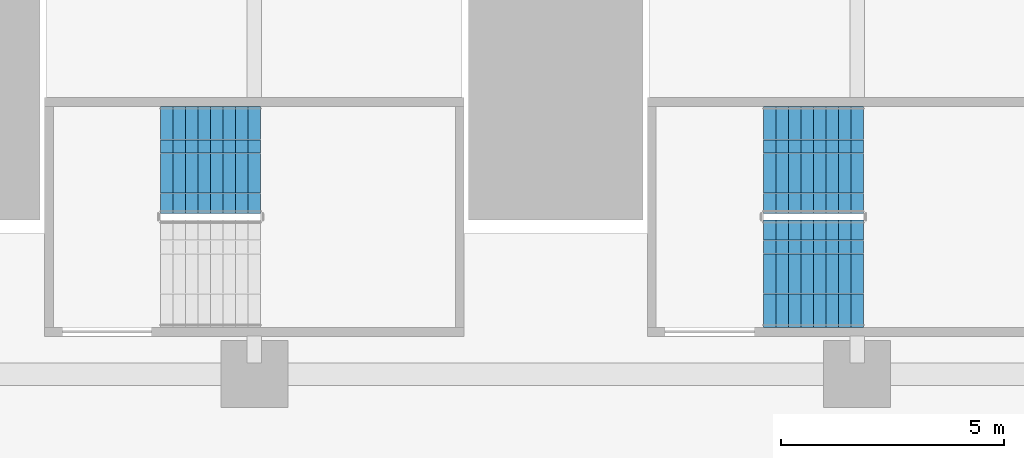
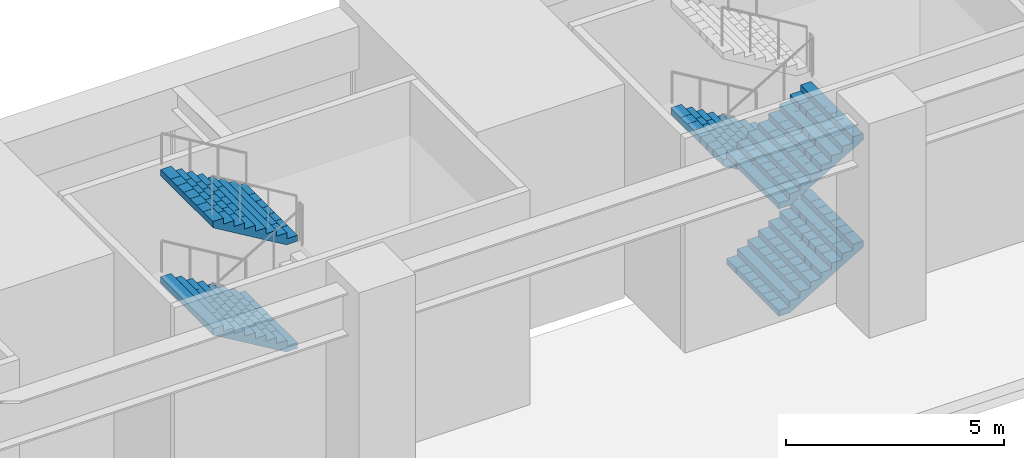
# One storey, part 31 of 41: 5 stair flights, 2 elements without a shape of their own.
"""IFC4 building model written with IfcOpenShell, lengths in metres."""

import ifcopenshell
import ifcopenshell.guid

model = None  # the IFC model being written
_history = None  # IfcOwnerHistory: only IFC2X3 demands one
_inside = {}  # id of a spatial element -> (the spatial element, [elements in it])
_under = {}  # id of a project, library or spatial element -> (it, [spatial elements below it])
_declared = {}  # id of a project -> (the project, [libraries it declares])
_typed = {}  # id of a type object -> (the type object, [elements of that type])
_made_of = {}  # id of a material, layer set ... -> (it, [elements and type objects made of it])


def new_model(schema):
    """Start an empty IFC model of exactly this schema.

    Asked for "IFC4X3", IfcOpenShell would pick the latest addendum, in which some entities
    have other attributes; the version numbers below select the first issue.
    IFC2X3 requires an IfcOwnerHistory on every rooted entity: one is made here for all.
    """
    global model, _history
    if schema == "IFC4X3":
        model = ifcopenshell.file(schema_version=(4, 3, 0, 0))
    else:
        model = ifcopenshell.file(schema=schema)
    _inside.clear()
    _under.clear()
    _declared.clear()
    _typed.clear()
    _made_of.clear()
    _history = None
    if model.schema == "IFC2X3":
        org = make("IfcOrganization", Name="unknown")
        user = make(
            "IfcPersonAndOrganization",
            ThePerson=make("IfcPerson", FamilyName="unknown"),
            TheOrganization=org,
        )
        app = make(
            "IfcApplication",
            ApplicationDeveloper=org,
            Version="unknown",
            ApplicationFullName="unknown",
            ApplicationIdentifier="unknown",
        )
        _history = make(
            "IfcOwnerHistory",
            OwningUser=user,
            OwningApplication=app,
            ChangeAction="ADDED",
            CreationDate=0,
        )
    return model


def make(cls, **values):
    """One entity of the class cls with the attributes given. An attribute that is None is left unset."""
    return model.create_entity(
        cls, **{name: value for name, value in values.items() if value is not None}
    )


def rooted(cls, **values):
    """An entity with a GlobalId (a new one), such as an element, a storey or a relation."""
    return make(cls, GlobalId=ifcopenshell.guid.new(), OwnerHistory=_history, **values)


def si_unit(unit_type, name, prefix=None):
    """IfcSIUnit, for example si_unit("LENGTHUNIT", "METRE", prefix="MILLI")."""
    return make("IfcSIUnit", UnitType=unit_type, Prefix=prefix, Name=name)


def assignment(units):
    """IfcUnitAssignment: the units of a project."""
    return None if units is None else make("IfcUnitAssignment", Units=units)


def point(xyz):
    """IfcCartesianPoint."""
    return None if xyz is None else make("IfcCartesianPoint", Coordinates=xyz)


def direction(xyz):
    """IfcDirection."""
    return None if xyz is None else make("IfcDirection", DirectionRatios=xyz)


def frame(location, z_axis=None, x_axis=None):
    """IfcAxis2Placement3D, a coordinate frame: its origin and axes. An axis left out is left unset."""
    return make(
        "IfcAxis2Placement3D",
        Location=point(location),
        Axis=direction(z_axis),
        RefDirection=direction(x_axis),
    )


def origin():
    """The frame at (0, 0, 0) with its axes left unset."""
    return frame((0.0, 0.0, 0.0))


def place(relative_to, where):
    """IfcLocalPlacement: puts the frame where relative to a parent placement (None: the world)."""
    return make(
        "IfcLocalPlacement", PlacementRelTo=relative_to, RelativePlacement=where
    )


def context(
    kind, dimensions, precision=None, world=None, true_north=None, identifier=None
):
    """IfcGeometricRepresentationContext, for example the 3D "Model" context."""
    return make(
        "IfcGeometricRepresentationContext",
        ContextIdentifier=identifier,
        ContextType=kind,
        CoordinateSpaceDimension=dimensions,
        Precision=precision,
        WorldCoordinateSystem=world,
        TrueNorth=true_north,
    )


def subcontext(parent, identifier, kind, view, scale=None):
    """IfcGeometricRepresentationSubContext, for example "Body" below "Model"."""
    return make(
        "IfcGeometricRepresentationSubContext",
        ContextIdentifier=identifier,
        ContextType=kind,
        ParentContext=parent,
        TargetScale=scale,
        TargetView=view,
    )


def project(units=None, contexts=None):
    """IfcProject with its units and contexts."""
    return rooted(
        "IfcProject",
        Name="project",
        RepresentationContexts=contexts,
        UnitsInContext=assignment(units),
    )


def spatial(cls, under=None, at=None, **own):
    """A site, building, storey or space (cls), placed at a placement, below another one or the project."""
    s = rooted(cls, ObjectPlacement=at, **own)
    if under is not None:
        _under.setdefault(under.id(), (under, []))[1].append(s)
    return s


def polyline(points):
    """IfcPolyline through the points."""
    return make("IfcPolyline", Points=[point(p) for p in points])


def outline(outer, holes=None, kind="AREA"):
    """IfcArbitraryClosedProfileDef: a profile drawn as a closed curve; with holes, ...WithVoids."""
    if holes is None:
        return make("IfcArbitraryClosedProfileDef", ProfileType=kind, OuterCurve=outer)
    return make(
        "IfcArbitraryProfileDefWithVoids",
        ProfileType=kind,
        OuterCurve=outer,
        InnerCurves=holes,
    )


def extrude(swept, where, along, depth):
    """IfcExtrudedAreaSolid: the profile swept, set in the frame where, extruded along a direction by depth."""
    return make(
        "IfcExtrudedAreaSolid",
        SweptArea=swept,
        Position=where,
        ExtrudedDirection=direction(along),
        Depth=depth,
    )


def shape(context_of_items, identifier, shape_type, items):
    """IfcShapeRepresentation: the items that make up one representation, for example the "Body"."""
    return make(
        "IfcShapeRepresentation",
        ContextOfItems=context_of_items,
        RepresentationIdentifier=identifier,
        RepresentationType=shape_type,
        Items=items,
    )


def material(Name=None, Category=None):
    """IfcMaterial."""
    return make("IfcMaterial", Name=Name, Category=Category)


def made_of(thing, what):
    """Note that an element or type object is made of a material, layer set ...; save() writes the relation."""
    if what is not None:
        _made_of.setdefault(what.id(), (what, []))[1].append(thing)
    return thing


def type_object(cls, material=None, **own):
    """A type object (cls), such as IfcWallType, which elements share."""
    return made_of(rooted(cls, **own), material)


def element(
    cls,
    number,
    at=None,
    inside=None,
    cuts=None,
    type_object=None,
    material=None,
    context=None,
    identifier="Body",
    shape_type=None,
    held_by="IfcProductDefinitionShape",
    body=None,
    shapes=None,
    **own,
):
    """One element of the class cls, such as IfcWall. Its Tag is "e" and its number.

    at: its placement. inside: the storey or other place that contains it. cuts: it is an
    opening in that element (IfcRelVoidsElement). A single representation is given by context,
    identifier, shape_type and body (its items); several are given by shapes. held_by: the class
    of the entity that holds the representations. save() writes the other relations.
    """
    e = rooted(cls, Tag="e%d" % number, ObjectPlacement=at, **own)
    if body is not None:
        shapes = [shape(context, identifier, shape_type, body)]
    if shapes is not None:
        e.Representation = make(held_by, Representations=shapes)
    if inside is not None:
        _inside.setdefault(inside.id(), (inside, []))[1].append(e)
    if cuts is not None:
        rooted(
            "IfcRelVoidsElement", RelatingBuildingElement=cuts, RelatedOpeningElement=e
        )
    if type_object is not None:
        _typed.setdefault(type_object.id(), (type_object, []))[1].append(e)
    return made_of(e, material)


def aggregate(whole, parts):
    """IfcRelAggregates: a whole, such as a stair, and the parts it consists of."""
    return rooted("IfcRelAggregates", RelatingObject=whole, RelatedObjects=parts)


def save(model, path):
    """Write the relations noted so far, then the file.

    IfcRelAggregates (storeys below a building ...), IfcRelContainedInSpatialStructure (elements
    in a storey), IfcRelDefinesByType, IfcRelAssociatesMaterial and IfcRelDeclares: one each for
    every whole, place, type object, material and project.
    """
    for whole, parts in _under.values():
        aggregate(whole, parts)
    for where, things in _inside.values():
        rooted(
            "IfcRelContainedInSpatialStructure",
            RelatedElements=things,
            RelatingStructure=where,
        )
    for kind, things in _typed.values():
        rooted("IfcRelDefinesByType", RelatedObjects=things, RelatingType=kind)
    for what, things in _made_of.values():
        rooted("IfcRelAssociatesMaterial", RelatedObjects=things, RelatingMaterial=what)
    for by, libraries in _declared.values():
        rooted("IfcRelDeclares", RelatingContext=by, RelatedDefinitions=libraries)
    model.write(path)


model = new_model("IFC4")

# Units and contexts
model_context = context("Model", 3, precision=1e-05, world=origin(), true_north=direction((0.0, 1.0)))
body_context = subcontext(model_context, "Body", "Model", "MODEL_VIEW")
ifc_project = project(units=[si_unit("LENGTHUNIT", "METRE"), si_unit("AREAUNIT", "SQUARE_METRE"), si_unit("VOLUMEUNIT", "CUBIC_METRE"), si_unit("PLANEANGLEUNIT", "RADIAN"), si_unit("MASSUNIT", "GRAM", prefix="KILO")], contexts=[model_context])

# Site, building, storey
site_placement = place(None, origin())
site = spatial("IfcSite", under=ifc_project, at=site_placement, CompositionType="ELEMENT")
building_placement = place(site_placement, origin())
building = spatial("IfcBuilding", under=site, at=building_placement, Name="Corbelhall Arena Tower", CompositionType="ELEMENT")
storey_placement = place(building_placement, frame((0.0, 0.0, 19.0)))
storey = spatial("IfcBuildingStorey", under=building, at=storey_placement, Name="L02", CompositionType="ELEMENT", Elevation=19.0)

# Stair, stair flights
ifc_material = material(Name="Reinforced concrete C40/50", Category="concrete")
stair_type = type_object("IfcStairType", Name="AR-EXIT-STAIR", PredefinedType="HALF_TURN_STAIR", material=ifc_material)
stair_1_placement = place(storey_placement, origin())
stair_1 = element("IfcStair", 1, at=stair_1_placement, inside=storey, type_object=stair_type, Name="L02 exit stair AS11", PredefinedType="HALF_TURN_STAIR")
stair_flight_type = type_object("IfcStairFlightType", Name="AR-EXIT-FLIGHT", PredefinedType="STRAIGHT", material=ifc_material)
stair_flight_1_placement = place(storey_placement, frame((6.889892578125, 34.050048828125, 1.5), z_axis=(0.0, 0.0, 1.0), x_axis=(-1.0, 0.0, 0.0)))
stair_flight_1 = element("IfcStairFlight", 2, at=stair_flight_1_placement, type_object=stair_flight_type, Name="AS11 flight 2", NumberOfRisers=9, NumberOfTreads=8, PredefinedType="STRAIGHT", RiserHeight=0.166666667, TreadLength=0.28, context=body_context, shape_type="SweptSolid", body=[
    extrude(outline(polyline([(0.0, 0.0), (0.0, 0.166748046875), (0.280029296875, 0.166748046875), (0.280029296875, 0.333251953125), (0.56005859375, 0.333251953125), (0.56005859375, 0.5), (0.840087890625, 0.5), (0.840087890625, 0.666748046875), (1.1201171875, 0.666748046875), (1.1201171875, 0.833251953125), (1.39990234375, 0.833251953125), (1.39990234375, 1.0), (1.679931640625, 1.0), (1.679931640625, 1.166748046875), (1.9599609375, 1.166748046875), (1.9599609375, 1.333251953125), (2.239990234375, 1.333251953125), (2.239990234375, 1.5), (2.239990234375, 1.158935546875), (0.29296875, 0.0), (0.0, 0.0)])), frame((0.0, 1.199951171875, 0.0), z_axis=(0.0, -1.0, 0.0), x_axis=(1.0, 0.0, 0.0)), (0.0, 0.0, 1.0), 0.449951171875),
    extrude(outline(polyline([(0.0, 0.0), (0.0, 0.166748046875), (0.280029296875, 0.166748046875), (0.280029296875, 0.333251953125), (0.56005859375, 0.333251953125), (0.56005859375, 0.5), (0.840087890625, 0.5), (0.840087890625, 0.666748046875), (1.1201171875, 0.666748046875), (1.1201171875, 0.833251953125), (1.39990234375, 0.833251953125), (1.39990234375, 1.0), (1.679931640625, 1.0), (1.679931640625, 1.166748046875), (1.9599609375, 1.166748046875), (1.9599609375, 1.333251953125), (2.239990234375, 1.333251953125), (2.239990234375, 1.5), (2.239990234375, 1.158935546875), (0.29296875, 0.0), (0.0, 0.0)])), frame((0.0, 0.745849609375, 0.0), z_axis=(0.0, -1.0, 0.0), x_axis=(1.0, 0.0, 0.0)), (0.0, 0.0, 1.0), 0.295166015625),
    extrude(outline(polyline([(0.0, 0.0), (0.0, 0.166748046875), (0.280029296875, 0.166748046875), (0.280029296875, 0.333251953125), (0.56005859375, 0.333251953125), (0.56005859375, 0.5), (0.840087890625, 0.5), (0.840087890625, 0.666748046875), (1.1201171875, 0.666748046875), (1.1201171875, 0.833251953125), (1.39990234375, 0.833251953125), (1.39990234375, 1.0), (1.679931640625, 1.0), (1.679931640625, 1.166748046875), (1.9599609375, 1.166748046875), (1.9599609375, 1.333251953125), (2.239990234375, 1.333251953125), (2.239990234375, 1.5), (2.239990234375, 1.158935546875), (0.29296875, 0.0), (0.0, 0.0)])), frame((0.0, 0.44677734375, 0.0), z_axis=(0.0, -1.0, 0.0), x_axis=(1.0, 0.0, 0.0)), (0.0, 0.0, 1.0), 0.295166015625),
    extrude(outline(polyline([(0.0, 0.0), (0.0, 0.166748046875), (0.280029296875, 0.166748046875), (0.280029296875, 0.333251953125), (0.56005859375, 0.333251953125), (0.56005859375, 0.5), (0.840087890625, 0.5), (0.840087890625, 0.666748046875), (1.1201171875, 0.666748046875), (1.1201171875, 0.833251953125), (1.39990234375, 0.833251953125), (1.39990234375, 1.0), (1.679931640625, 1.0), (1.679931640625, 1.166748046875), (1.9599609375, 1.166748046875), (1.9599609375, 1.333251953125), (2.239990234375, 1.333251953125), (2.239990234375, 1.5), (2.239990234375, 1.158935546875), (0.29296875, 0.0), (0.0, 0.0)])), frame((0.0, 0.147705078125, 0.0), z_axis=(0.0, -1.0, 0.0), x_axis=(1.0, 0.0, 0.0)), (0.0, 0.0, 1.0), 0.295166015625),
    extrude(outline(polyline([(0.0, 0.0), (0.0, 0.166748046875), (0.280029296875, 0.166748046875), (0.280029296875, 0.333251953125), (0.56005859375, 0.333251953125), (0.56005859375, 0.5), (0.840087890625, 0.5), (0.840087890625, 0.666748046875), (1.1201171875, 0.666748046875), (1.1201171875, 0.833251953125), (1.39990234375, 0.833251953125), (1.39990234375, 1.0), (1.679931640625, 1.0), (1.679931640625, 1.166748046875), (1.9599609375, 1.166748046875), (1.9599609375, 1.333251953125), (2.239990234375, 1.333251953125), (2.239990234375, 1.5), (2.239990234375, 1.158935546875), (0.29296875, 0.0), (0.0, 0.0)])), frame((0.0, -0.151611328125, 0.0), z_axis=(0.0, -1.0, 0.0), x_axis=(1.0, 0.0, 0.0)), (0.0, 0.0, 1.0), 0.295166015625),
    extrude(outline(polyline([(0.0, 0.0), (0.0, 0.166748046875), (0.280029296875, 0.166748046875), (0.280029296875, 0.333251953125), (0.56005859375, 0.333251953125), (0.56005859375, 0.5), (0.840087890625, 0.5), (0.840087890625, 0.666748046875), (1.1201171875, 0.666748046875), (1.1201171875, 0.833251953125), (1.39990234375, 0.833251953125), (1.39990234375, 1.0), (1.679931640625, 1.0), (1.679931640625, 1.166748046875), (1.9599609375, 1.166748046875), (1.9599609375, 1.333251953125), (2.239990234375, 1.333251953125), (2.239990234375, 1.5), (2.239990234375, 1.158935546875), (0.29296875, 0.0), (0.0, 0.0)])), frame((0.0, -0.45068359375, 0.0), z_axis=(0.0, -1.0, 0.0), x_axis=(1.0, 0.0, 0.0)), (0.0, 0.0, 1.0), 0.295166015625),
    extrude(outline(polyline([(0.0, 0.0), (0.0, 0.166748046875), (0.280029296875, 0.166748046875), (0.280029296875, 0.333251953125), (0.56005859375, 0.333251953125), (0.56005859375, 0.5), (0.840087890625, 0.5), (0.840087890625, 0.666748046875), (1.1201171875, 0.666748046875), (1.1201171875, 0.833251953125), (1.39990234375, 0.833251953125), (1.39990234375, 1.0), (1.679931640625, 1.0), (1.679931640625, 1.166748046875), (1.9599609375, 1.166748046875), (1.9599609375, 1.333251953125), (2.239990234375, 1.333251953125), (2.239990234375, 1.5), (2.239990234375, 1.158935546875), (0.29296875, 0.0), (0.0, 0.0)])), frame((0.0, -0.75, 0.0), z_axis=(0.0, -1.0, 0.0), x_axis=(1.0, 0.0, 0.0)), (0.0, 0.0, 1.0), 0.449951171875),
])
stair_flight_2_placement = place(storey_placement, frame((6.889892578125, 34.050048828125, 4.5), z_axis=(0.0, 0.0, 1.0), x_axis=(-1.0, 0.0, 0.0)))
stair_flight_2 = element("IfcStairFlight", 3, at=stair_flight_2_placement, type_object=stair_flight_type, Name="AS11 flight 4", NumberOfRisers=9, NumberOfTreads=8, PredefinedType="STRAIGHT", RiserHeight=0.166666667, TreadLength=0.28, context=body_context, shape_type="SweptSolid", body=[
    extrude(outline(polyline([(0.0, 0.0), (0.0, 0.166748046875), (0.280029296875, 0.166748046875), (0.280029296875, 0.333251953125), (0.56005859375, 0.333251953125), (0.56005859375, 0.5), (0.840087890625, 0.5), (0.840087890625, 0.666748046875), (1.1201171875, 0.666748046875), (1.1201171875, 0.833251953125), (1.39990234375, 0.833251953125), (1.39990234375, 1.0), (1.679931640625, 1.0), (1.679931640625, 1.166748046875), (1.9599609375, 1.166748046875), (1.9599609375, 1.333251953125), (2.239990234375, 1.333251953125), (2.239990234375, 1.5), (2.239990234375, 1.158935546875), (0.29296875, 0.0), (0.0, 0.0)])), frame((0.0, 1.199951171875, 0.0), z_axis=(0.0, -1.0, 0.0), x_axis=(1.0, 0.0, 0.0)), (0.0, 0.0, 1.0), 0.449951171875),
    extrude(outline(polyline([(0.0, 0.0), (0.0, 0.166748046875), (0.280029296875, 0.166748046875), (0.280029296875, 0.333251953125), (0.56005859375, 0.333251953125), (0.56005859375, 0.5), (0.840087890625, 0.5), (0.840087890625, 0.666748046875), (1.1201171875, 0.666748046875), (1.1201171875, 0.833251953125), (1.39990234375, 0.833251953125), (1.39990234375, 1.0), (1.679931640625, 1.0), (1.679931640625, 1.166748046875), (1.9599609375, 1.166748046875), (1.9599609375, 1.333251953125), (2.239990234375, 1.333251953125), (2.239990234375, 1.5), (2.239990234375, 1.158935546875), (0.29296875, 0.0), (0.0, 0.0)])), frame((0.0, 0.745849609375, 0.0), z_axis=(0.0, -1.0, 0.0), x_axis=(1.0, 0.0, 0.0)), (0.0, 0.0, 1.0), 0.295166015625),
    extrude(outline(polyline([(0.0, 0.0), (0.0, 0.166748046875), (0.280029296875, 0.166748046875), (0.280029296875, 0.333251953125), (0.56005859375, 0.333251953125), (0.56005859375, 0.5), (0.840087890625, 0.5), (0.840087890625, 0.666748046875), (1.1201171875, 0.666748046875), (1.1201171875, 0.833251953125), (1.39990234375, 0.833251953125), (1.39990234375, 1.0), (1.679931640625, 1.0), (1.679931640625, 1.166748046875), (1.9599609375, 1.166748046875), (1.9599609375, 1.333251953125), (2.239990234375, 1.333251953125), (2.239990234375, 1.5), (2.239990234375, 1.158935546875), (0.29296875, 0.0), (0.0, 0.0)])), frame((0.0, 0.44677734375, 0.0), z_axis=(0.0, -1.0, 0.0), x_axis=(1.0, 0.0, 0.0)), (0.0, 0.0, 1.0), 0.295166015625),
    extrude(outline(polyline([(0.0, 0.0), (0.0, 0.166748046875), (0.280029296875, 0.166748046875), (0.280029296875, 0.333251953125), (0.56005859375, 0.333251953125), (0.56005859375, 0.5), (0.840087890625, 0.5), (0.840087890625, 0.666748046875), (1.1201171875, 0.666748046875), (1.1201171875, 0.833251953125), (1.39990234375, 0.833251953125), (1.39990234375, 1.0), (1.679931640625, 1.0), (1.679931640625, 1.166748046875), (1.9599609375, 1.166748046875), (1.9599609375, 1.333251953125), (2.239990234375, 1.333251953125), (2.239990234375, 1.5), (2.239990234375, 1.158935546875), (0.29296875, 0.0), (0.0, 0.0)])), frame((0.0, 0.147705078125, 0.0), z_axis=(0.0, -1.0, 0.0), x_axis=(1.0, 0.0, 0.0)), (0.0, 0.0, 1.0), 0.295166015625),
    extrude(outline(polyline([(0.0, 0.0), (0.0, 0.166748046875), (0.280029296875, 0.166748046875), (0.280029296875, 0.333251953125), (0.56005859375, 0.333251953125), (0.56005859375, 0.5), (0.840087890625, 0.5), (0.840087890625, 0.666748046875), (1.1201171875, 0.666748046875), (1.1201171875, 0.833251953125), (1.39990234375, 0.833251953125), (1.39990234375, 1.0), (1.679931640625, 1.0), (1.679931640625, 1.166748046875), (1.9599609375, 1.166748046875), (1.9599609375, 1.333251953125), (2.239990234375, 1.333251953125), (2.239990234375, 1.5), (2.239990234375, 1.158935546875), (0.29296875, 0.0), (0.0, 0.0)])), frame((0.0, -0.151611328125, 0.0), z_axis=(0.0, -1.0, 0.0), x_axis=(1.0, 0.0, 0.0)), (0.0, 0.0, 1.0), 0.295166015625),
    extrude(outline(polyline([(0.0, 0.0), (0.0, 0.166748046875), (0.280029296875, 0.166748046875), (0.280029296875, 0.333251953125), (0.56005859375, 0.333251953125), (0.56005859375, 0.5), (0.840087890625, 0.5), (0.840087890625, 0.666748046875), (1.1201171875, 0.666748046875), (1.1201171875, 0.833251953125), (1.39990234375, 0.833251953125), (1.39990234375, 1.0), (1.679931640625, 1.0), (1.679931640625, 1.166748046875), (1.9599609375, 1.166748046875), (1.9599609375, 1.333251953125), (2.239990234375, 1.333251953125), (2.239990234375, 1.5), (2.239990234375, 1.158935546875), (0.29296875, 0.0), (0.0, 0.0)])), frame((0.0, -0.45068359375, 0.0), z_axis=(0.0, -1.0, 0.0), x_axis=(1.0, 0.0, 0.0)), (0.0, 0.0, 1.0), 0.295166015625),
    extrude(outline(polyline([(0.0, 0.0), (0.0, 0.166748046875), (0.280029296875, 0.166748046875), (0.280029296875, 0.333251953125), (0.56005859375, 0.333251953125), (0.56005859375, 0.5), (0.840087890625, 0.5), (0.840087890625, 0.666748046875), (1.1201171875, 0.666748046875), (1.1201171875, 0.833251953125), (1.39990234375, 0.833251953125), (1.39990234375, 1.0), (1.679931640625, 1.0), (1.679931640625, 1.166748046875), (1.9599609375, 1.166748046875), (1.9599609375, 1.333251953125), (2.239990234375, 1.333251953125), (2.239990234375, 1.5), (2.239990234375, 1.158935546875), (0.29296875, 0.0), (0.0, 0.0)])), frame((0.0, -0.75, 0.0), z_axis=(0.0, -1.0, 0.0), x_axis=(1.0, 0.0, 0.0)), (0.0, 0.0, 1.0), 0.449951171875),
])
aggregate(stair_1, [stair_flight_1, stair_flight_2])

stair_2_placement = place(storey_placement, origin())
stair_2 = element("IfcStair", 4, at=stair_2_placement, inside=storey, type_object=stair_type, Name="L02 exit stair AS12", PredefinedType="HALF_TURN_STAIR")
stair_flight_3_placement = place(storey_placement, frame((18.14990234375, 31.5, 0.0), z_axis=(0.0, 0.0, 1.0), x_axis=(1.0, 0.0, 0.0)))
stair_flight_3 = element("IfcStairFlight", 5, at=stair_flight_3_placement, type_object=stair_flight_type, Name="AS12 flight 1", NumberOfRisers=9, NumberOfTreads=8, PredefinedType="STRAIGHT", RiserHeight=0.166666667, TreadLength=0.28, context=body_context, shape_type="SweptSolid", body=[
    extrude(outline(polyline([(0.0, 0.0), (0.0, 0.166748046875), (0.280029296875, 0.166748046875), (0.280029296875, 0.333251953125), (0.56005859375, 0.333251953125), (0.56005859375, 0.5), (0.840087890625, 0.5), (0.840087890625, 0.666748046875), (1.1201171875, 0.666748046875), (1.1201171875, 0.833251953125), (1.39990234375, 0.833251953125), (1.39990234375, 1.0), (1.679931640625, 1.0), (1.679931640625, 1.166748046875), (1.9599609375, 1.166748046875), (1.9599609375, 1.333251953125), (2.239990234375, 1.333251953125), (2.239990234375, 1.5), (2.239990234375, 1.158935546875), (0.29296875, 0.0), (0.0, 0.0)])), frame((0.0, 1.199951171875, 0.0), z_axis=(0.0, -1.0, 0.0), x_axis=(1.0, 0.0, 0.0)), (0.0, 0.0, 1.0), 0.449951171875),
    extrude(outline(polyline([(0.0, 0.0), (0.0, 0.166748046875), (0.280029296875, 0.166748046875), (0.280029296875, 0.333251953125), (0.56005859375, 0.333251953125), (0.56005859375, 0.5), (0.840087890625, 0.5), (0.840087890625, 0.666748046875), (1.1201171875, 0.666748046875), (1.1201171875, 0.833251953125), (1.39990234375, 0.833251953125), (1.39990234375, 1.0), (1.679931640625, 1.0), (1.679931640625, 1.166748046875), (1.9599609375, 1.166748046875), (1.9599609375, 1.333251953125), (2.239990234375, 1.333251953125), (2.239990234375, 1.5), (2.239990234375, 1.158935546875), (0.29296875, 0.0), (0.0, 0.0)])), frame((0.0, 0.745849609375, 0.0), z_axis=(0.0, -1.0, 0.0), x_axis=(1.0, 0.0, 0.0)), (0.0, 0.0, 1.0), 0.295166015625),
    extrude(outline(polyline([(0.0, 0.0), (0.0, 0.166748046875), (0.280029296875, 0.166748046875), (0.280029296875, 0.333251953125), (0.56005859375, 0.333251953125), (0.56005859375, 0.5), (0.840087890625, 0.5), (0.840087890625, 0.666748046875), (1.1201171875, 0.666748046875), (1.1201171875, 0.833251953125), (1.39990234375, 0.833251953125), (1.39990234375, 1.0), (1.679931640625, 1.0), (1.679931640625, 1.166748046875), (1.9599609375, 1.166748046875), (1.9599609375, 1.333251953125), (2.239990234375, 1.333251953125), (2.239990234375, 1.5), (2.239990234375, 1.158935546875), (0.29296875, 0.0), (0.0, 0.0)])), frame((0.0, 0.44677734375, 0.0), z_axis=(0.0, -1.0, 0.0), x_axis=(1.0, 0.0, 0.0)), (0.0, 0.0, 1.0), 0.295166015625),
    extrude(outline(polyline([(0.0, 0.0), (0.0, 0.166748046875), (0.280029296875, 0.166748046875), (0.280029296875, 0.333251953125), (0.56005859375, 0.333251953125), (0.56005859375, 0.5), (0.840087890625, 0.5), (0.840087890625, 0.666748046875), (1.1201171875, 0.666748046875), (1.1201171875, 0.833251953125), (1.39990234375, 0.833251953125), (1.39990234375, 1.0), (1.679931640625, 1.0), (1.679931640625, 1.166748046875), (1.9599609375, 1.166748046875), (1.9599609375, 1.333251953125), (2.239990234375, 1.333251953125), (2.239990234375, 1.5), (2.239990234375, 1.158935546875), (0.29296875, 0.0), (0.0, 0.0)])), frame((0.0, 0.147705078125, 0.0), z_axis=(0.0, -1.0, 0.0), x_axis=(1.0, 0.0, 0.0)), (0.0, 0.0, 1.0), 0.295166015625),
    extrude(outline(polyline([(0.0, 0.0), (0.0, 0.166748046875), (0.280029296875, 0.166748046875), (0.280029296875, 0.333251953125), (0.56005859375, 0.333251953125), (0.56005859375, 0.5), (0.840087890625, 0.5), (0.840087890625, 0.666748046875), (1.1201171875, 0.666748046875), (1.1201171875, 0.833251953125), (1.39990234375, 0.833251953125), (1.39990234375, 1.0), (1.679931640625, 1.0), (1.679931640625, 1.166748046875), (1.9599609375, 1.166748046875), (1.9599609375, 1.333251953125), (2.239990234375, 1.333251953125), (2.239990234375, 1.5), (2.239990234375, 1.158935546875), (0.29296875, 0.0), (0.0, 0.0)])), frame((0.0, -0.151611328125, 0.0), z_axis=(0.0, -1.0, 0.0), x_axis=(1.0, 0.0, 0.0)), (0.0, 0.0, 1.0), 0.295166015625),
    extrude(outline(polyline([(0.0, 0.0), (0.0, 0.166748046875), (0.280029296875, 0.166748046875), (0.280029296875, 0.333251953125), (0.56005859375, 0.333251953125), (0.56005859375, 0.5), (0.840087890625, 0.5), (0.840087890625, 0.666748046875), (1.1201171875, 0.666748046875), (1.1201171875, 0.833251953125), (1.39990234375, 0.833251953125), (1.39990234375, 1.0), (1.679931640625, 1.0), (1.679931640625, 1.166748046875), (1.9599609375, 1.166748046875), (1.9599609375, 1.333251953125), (2.239990234375, 1.333251953125), (2.239990234375, 1.5), (2.239990234375, 1.158935546875), (0.29296875, 0.0), (0.0, 0.0)])), frame((0.0, -0.45068359375, 0.0), z_axis=(0.0, -1.0, 0.0), x_axis=(1.0, 0.0, 0.0)), (0.0, 0.0, 1.0), 0.295166015625),
    extrude(outline(polyline([(0.0, 0.0), (0.0, 0.166748046875), (0.280029296875, 0.166748046875), (0.280029296875, 0.333251953125), (0.56005859375, 0.333251953125), (0.56005859375, 0.5), (0.840087890625, 0.5), (0.840087890625, 0.666748046875), (1.1201171875, 0.666748046875), (1.1201171875, 0.833251953125), (1.39990234375, 0.833251953125), (1.39990234375, 1.0), (1.679931640625, 1.0), (1.679931640625, 1.166748046875), (1.9599609375, 1.166748046875), (1.9599609375, 1.333251953125), (2.239990234375, 1.333251953125), (2.239990234375, 1.5), (2.239990234375, 1.158935546875), (0.29296875, 0.0), (0.0, 0.0)])), frame((0.0, -0.75, 0.0), z_axis=(0.0, -1.0, 0.0), x_axis=(1.0, 0.0, 0.0)), (0.0, 0.0, 1.0), 0.449951171875),
])
stair_flight_4_placement = place(storey_placement, frame((20.389892578125, 34.050048828125, 1.5), z_axis=(0.0, 0.0, 1.0), x_axis=(-1.0, 0.0, 0.0)))
stair_flight_4 = element("IfcStairFlight", 6, at=stair_flight_4_placement, type_object=stair_flight_type, Name="AS12 flight 2", NumberOfRisers=9, NumberOfTreads=8, PredefinedType="STRAIGHT", RiserHeight=0.166666667, TreadLength=0.28, context=body_context, shape_type="SweptSolid", body=[
    extrude(outline(polyline([(0.0, 0.0), (0.0, 0.166748046875), (0.280029296875, 0.166748046875), (0.280029296875, 0.333251953125), (0.56005859375, 0.333251953125), (0.56005859375, 0.5), (0.840087890625, 0.5), (0.840087890625, 0.666748046875), (1.1201171875, 0.666748046875), (1.1201171875, 0.833251953125), (1.39990234375, 0.833251953125), (1.39990234375, 1.0), (1.679931640625, 1.0), (1.679931640625, 1.166748046875), (1.9599609375, 1.166748046875), (1.9599609375, 1.333251953125), (2.239990234375, 1.333251953125), (2.239990234375, 1.5), (2.239990234375, 1.158935546875), (0.29296875, 0.0), (0.0, 0.0)])), frame((0.0, 1.199951171875, 0.0), z_axis=(0.0, -1.0, 0.0), x_axis=(1.0, 0.0, 0.0)), (0.0, 0.0, 1.0), 0.449951171875),
    extrude(outline(polyline([(0.0, 0.0), (0.0, 0.166748046875), (0.280029296875, 0.166748046875), (0.280029296875, 0.333251953125), (0.56005859375, 0.333251953125), (0.56005859375, 0.5), (0.840087890625, 0.5), (0.840087890625, 0.666748046875), (1.1201171875, 0.666748046875), (1.1201171875, 0.833251953125), (1.39990234375, 0.833251953125), (1.39990234375, 1.0), (1.679931640625, 1.0), (1.679931640625, 1.166748046875), (1.9599609375, 1.166748046875), (1.9599609375, 1.333251953125), (2.239990234375, 1.333251953125), (2.239990234375, 1.5), (2.239990234375, 1.158935546875), (0.29296875, 0.0), (0.0, 0.0)])), frame((0.0, 0.745849609375, 0.0), z_axis=(0.0, -1.0, 0.0), x_axis=(1.0, 0.0, 0.0)), (0.0, 0.0, 1.0), 0.295166015625),
    extrude(outline(polyline([(0.0, 0.0), (0.0, 0.166748046875), (0.280029296875, 0.166748046875), (0.280029296875, 0.333251953125), (0.56005859375, 0.333251953125), (0.56005859375, 0.5), (0.840087890625, 0.5), (0.840087890625, 0.666748046875), (1.1201171875, 0.666748046875), (1.1201171875, 0.833251953125), (1.39990234375, 0.833251953125), (1.39990234375, 1.0), (1.679931640625, 1.0), (1.679931640625, 1.166748046875), (1.9599609375, 1.166748046875), (1.9599609375, 1.333251953125), (2.239990234375, 1.333251953125), (2.239990234375, 1.5), (2.239990234375, 1.158935546875), (0.29296875, 0.0), (0.0, 0.0)])), frame((0.0, 0.44677734375, 0.0), z_axis=(0.0, -1.0, 0.0), x_axis=(1.0, 0.0, 0.0)), (0.0, 0.0, 1.0), 0.295166015625),
    extrude(outline(polyline([(0.0, 0.0), (0.0, 0.166748046875), (0.280029296875, 0.166748046875), (0.280029296875, 0.333251953125), (0.56005859375, 0.333251953125), (0.56005859375, 0.5), (0.840087890625, 0.5), (0.840087890625, 0.666748046875), (1.1201171875, 0.666748046875), (1.1201171875, 0.833251953125), (1.39990234375, 0.833251953125), (1.39990234375, 1.0), (1.679931640625, 1.0), (1.679931640625, 1.166748046875), (1.9599609375, 1.166748046875), (1.9599609375, 1.333251953125), (2.239990234375, 1.333251953125), (2.239990234375, 1.5), (2.239990234375, 1.158935546875), (0.29296875, 0.0), (0.0, 0.0)])), frame((0.0, 0.147705078125, 0.0), z_axis=(0.0, -1.0, 0.0), x_axis=(1.0, 0.0, 0.0)), (0.0, 0.0, 1.0), 0.295166015625),
    extrude(outline(polyline([(0.0, 0.0), (0.0, 0.166748046875), (0.280029296875, 0.166748046875), (0.280029296875, 0.333251953125), (0.56005859375, 0.333251953125), (0.56005859375, 0.5), (0.840087890625, 0.5), (0.840087890625, 0.666748046875), (1.1201171875, 0.666748046875), (1.1201171875, 0.833251953125), (1.39990234375, 0.833251953125), (1.39990234375, 1.0), (1.679931640625, 1.0), (1.679931640625, 1.166748046875), (1.9599609375, 1.166748046875), (1.9599609375, 1.333251953125), (2.239990234375, 1.333251953125), (2.239990234375, 1.5), (2.239990234375, 1.158935546875), (0.29296875, 0.0), (0.0, 0.0)])), frame((0.0, -0.151611328125, 0.0), z_axis=(0.0, -1.0, 0.0), x_axis=(1.0, 0.0, 0.0)), (0.0, 0.0, 1.0), 0.295166015625),
    extrude(outline(polyline([(0.0, 0.0), (0.0, 0.166748046875), (0.280029296875, 0.166748046875), (0.280029296875, 0.333251953125), (0.56005859375, 0.333251953125), (0.56005859375, 0.5), (0.840087890625, 0.5), (0.840087890625, 0.666748046875), (1.1201171875, 0.666748046875), (1.1201171875, 0.833251953125), (1.39990234375, 0.833251953125), (1.39990234375, 1.0), (1.679931640625, 1.0), (1.679931640625, 1.166748046875), (1.9599609375, 1.166748046875), (1.9599609375, 1.333251953125), (2.239990234375, 1.333251953125), (2.239990234375, 1.5), (2.239990234375, 1.158935546875), (0.29296875, 0.0), (0.0, 0.0)])), frame((0.0, -0.45068359375, 0.0), z_axis=(0.0, -1.0, 0.0), x_axis=(1.0, 0.0, 0.0)), (0.0, 0.0, 1.0), 0.295166015625),
    extrude(outline(polyline([(0.0, 0.0), (0.0, 0.166748046875), (0.280029296875, 0.166748046875), (0.280029296875, 0.333251953125), (0.56005859375, 0.333251953125), (0.56005859375, 0.5), (0.840087890625, 0.5), (0.840087890625, 0.666748046875), (1.1201171875, 0.666748046875), (1.1201171875, 0.833251953125), (1.39990234375, 0.833251953125), (1.39990234375, 1.0), (1.679931640625, 1.0), (1.679931640625, 1.166748046875), (1.9599609375, 1.166748046875), (1.9599609375, 1.333251953125), (2.239990234375, 1.333251953125), (2.239990234375, 1.5), (2.239990234375, 1.158935546875), (0.29296875, 0.0), (0.0, 0.0)])), frame((0.0, -0.75, 0.0), z_axis=(0.0, -1.0, 0.0), x_axis=(1.0, 0.0, 0.0)), (0.0, 0.0, 1.0), 0.449951171875),
])
stair_flight_5_placement = place(storey_placement, frame((18.14990234375, 31.5, 3.0), z_axis=(0.0, 0.0, 1.0), x_axis=(1.0, 0.0, 0.0)))
stair_flight_5 = element("IfcStairFlight", 7, at=stair_flight_5_placement, type_object=stair_flight_type, Name="AS12 flight 3", NumberOfRisers=9, NumberOfTreads=8, PredefinedType="STRAIGHT", RiserHeight=0.166666667, TreadLength=0.28, context=body_context, shape_type="SweptSolid", body=[
    extrude(outline(polyline([(0.0, 0.0), (0.0, 0.166748046875), (0.280029296875, 0.166748046875), (0.280029296875, 0.333251953125), (0.56005859375, 0.333251953125), (0.56005859375, 0.5), (0.840087890625, 0.5), (0.840087890625, 0.666748046875), (1.1201171875, 0.666748046875), (1.1201171875, 0.833251953125), (1.39990234375, 0.833251953125), (1.39990234375, 1.0), (1.679931640625, 1.0), (1.679931640625, 1.166748046875), (1.9599609375, 1.166748046875), (1.9599609375, 1.333251953125), (2.239990234375, 1.333251953125), (2.239990234375, 1.5), (2.239990234375, 1.158935546875), (0.29296875, 0.0), (0.0, 0.0)])), frame((0.0, 1.199951171875, 0.0), z_axis=(0.0, -1.0, 0.0), x_axis=(1.0, 0.0, 0.0)), (0.0, 0.0, 1.0), 0.449951171875),
    extrude(outline(polyline([(0.0, 0.0), (0.0, 0.166748046875), (0.280029296875, 0.166748046875), (0.280029296875, 0.333251953125), (0.56005859375, 0.333251953125), (0.56005859375, 0.5), (0.840087890625, 0.5), (0.840087890625, 0.666748046875), (1.1201171875, 0.666748046875), (1.1201171875, 0.833251953125), (1.39990234375, 0.833251953125), (1.39990234375, 1.0), (1.679931640625, 1.0), (1.679931640625, 1.166748046875), (1.9599609375, 1.166748046875), (1.9599609375, 1.333251953125), (2.239990234375, 1.333251953125), (2.239990234375, 1.5), (2.239990234375, 1.158935546875), (0.29296875, 0.0), (0.0, 0.0)])), frame((0.0, 0.745849609375, 0.0), z_axis=(0.0, -1.0, 0.0), x_axis=(1.0, 0.0, 0.0)), (0.0, 0.0, 1.0), 0.295166015625),
    extrude(outline(polyline([(0.0, 0.0), (0.0, 0.166748046875), (0.280029296875, 0.166748046875), (0.280029296875, 0.333251953125), (0.56005859375, 0.333251953125), (0.56005859375, 0.5), (0.840087890625, 0.5), (0.840087890625, 0.666748046875), (1.1201171875, 0.666748046875), (1.1201171875, 0.833251953125), (1.39990234375, 0.833251953125), (1.39990234375, 1.0), (1.679931640625, 1.0), (1.679931640625, 1.166748046875), (1.9599609375, 1.166748046875), (1.9599609375, 1.333251953125), (2.239990234375, 1.333251953125), (2.239990234375, 1.5), (2.239990234375, 1.158935546875), (0.29296875, 0.0), (0.0, 0.0)])), frame((0.0, 0.44677734375, 0.0), z_axis=(0.0, -1.0, 0.0), x_axis=(1.0, 0.0, 0.0)), (0.0, 0.0, 1.0), 0.295166015625),
    extrude(outline(polyline([(0.0, 0.0), (0.0, 0.166748046875), (0.280029296875, 0.166748046875), (0.280029296875, 0.333251953125), (0.56005859375, 0.333251953125), (0.56005859375, 0.5), (0.840087890625, 0.5), (0.840087890625, 0.666748046875), (1.1201171875, 0.666748046875), (1.1201171875, 0.833251953125), (1.39990234375, 0.833251953125), (1.39990234375, 1.0), (1.679931640625, 1.0), (1.679931640625, 1.166748046875), (1.9599609375, 1.166748046875), (1.9599609375, 1.333251953125), (2.239990234375, 1.333251953125), (2.239990234375, 1.5), (2.239990234375, 1.158935546875), (0.29296875, 0.0), (0.0, 0.0)])), frame((0.0, 0.147705078125, 0.0), z_axis=(0.0, -1.0, 0.0), x_axis=(1.0, 0.0, 0.0)), (0.0, 0.0, 1.0), 0.295166015625),
    extrude(outline(polyline([(0.0, 0.0), (0.0, 0.166748046875), (0.280029296875, 0.166748046875), (0.280029296875, 0.333251953125), (0.56005859375, 0.333251953125), (0.56005859375, 0.5), (0.840087890625, 0.5), (0.840087890625, 0.666748046875), (1.1201171875, 0.666748046875), (1.1201171875, 0.833251953125), (1.39990234375, 0.833251953125), (1.39990234375, 1.0), (1.679931640625, 1.0), (1.679931640625, 1.166748046875), (1.9599609375, 1.166748046875), (1.9599609375, 1.333251953125), (2.239990234375, 1.333251953125), (2.239990234375, 1.5), (2.239990234375, 1.158935546875), (0.29296875, 0.0), (0.0, 0.0)])), frame((0.0, -0.151611328125, 0.0), z_axis=(0.0, -1.0, 0.0), x_axis=(1.0, 0.0, 0.0)), (0.0, 0.0, 1.0), 0.295166015625),
    extrude(outline(polyline([(0.0, 0.0), (0.0, 0.166748046875), (0.280029296875, 0.166748046875), (0.280029296875, 0.333251953125), (0.56005859375, 0.333251953125), (0.56005859375, 0.5), (0.840087890625, 0.5), (0.840087890625, 0.666748046875), (1.1201171875, 0.666748046875), (1.1201171875, 0.833251953125), (1.39990234375, 0.833251953125), (1.39990234375, 1.0), (1.679931640625, 1.0), (1.679931640625, 1.166748046875), (1.9599609375, 1.166748046875), (1.9599609375, 1.333251953125), (2.239990234375, 1.333251953125), (2.239990234375, 1.5), (2.239990234375, 1.158935546875), (0.29296875, 0.0), (0.0, 0.0)])), frame((0.0, -0.45068359375, 0.0), z_axis=(0.0, -1.0, 0.0), x_axis=(1.0, 0.0, 0.0)), (0.0, 0.0, 1.0), 0.295166015625),
    extrude(outline(polyline([(0.0, 0.0), (0.0, 0.166748046875), (0.280029296875, 0.166748046875), (0.280029296875, 0.333251953125), (0.56005859375, 0.333251953125), (0.56005859375, 0.5), (0.840087890625, 0.5), (0.840087890625, 0.666748046875), (1.1201171875, 0.666748046875), (1.1201171875, 0.833251953125), (1.39990234375, 0.833251953125), (1.39990234375, 1.0), (1.679931640625, 1.0), (1.679931640625, 1.166748046875), (1.9599609375, 1.166748046875), (1.9599609375, 1.333251953125), (2.239990234375, 1.333251953125), (2.239990234375, 1.5), (2.239990234375, 1.158935546875), (0.29296875, 0.0), (0.0, 0.0)])), frame((0.0, -0.75, 0.0), z_axis=(0.0, -1.0, 0.0), x_axis=(1.0, 0.0, 0.0)), (0.0, 0.0, 1.0), 0.449951171875),
])
aggregate(stair_2, [stair_flight_3, stair_flight_4, stair_flight_5])

save(model, "model.ifc")
